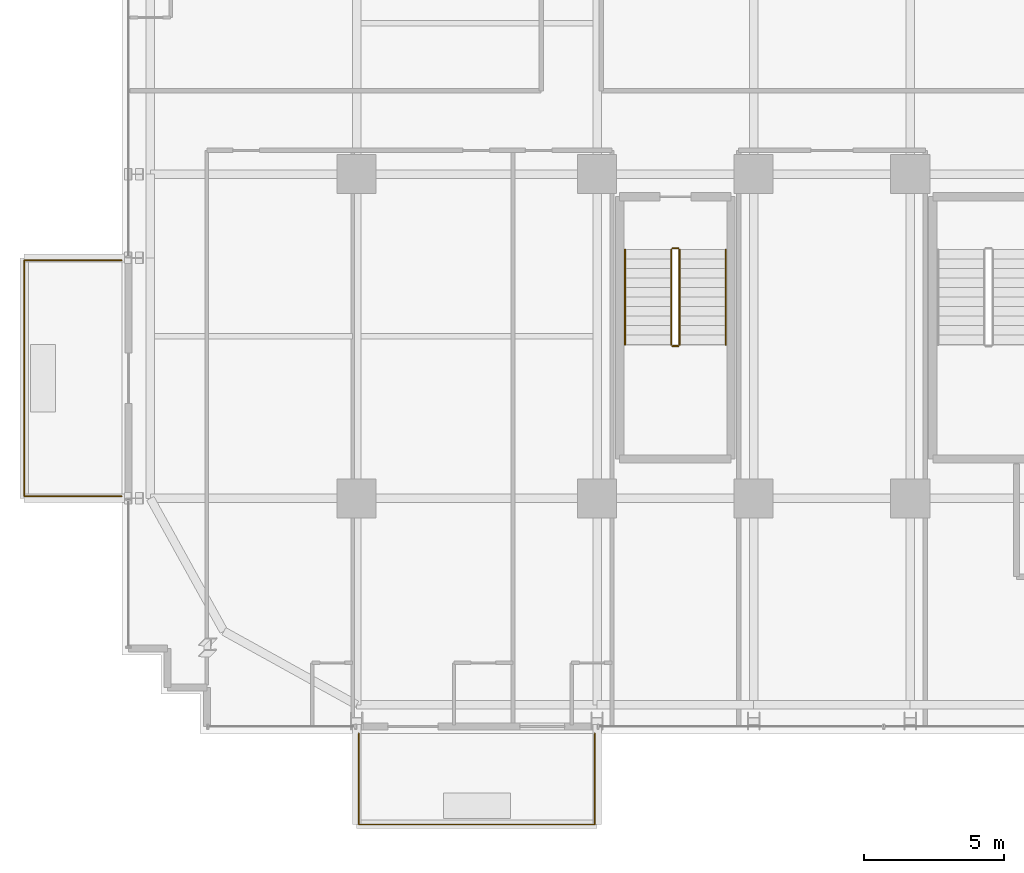
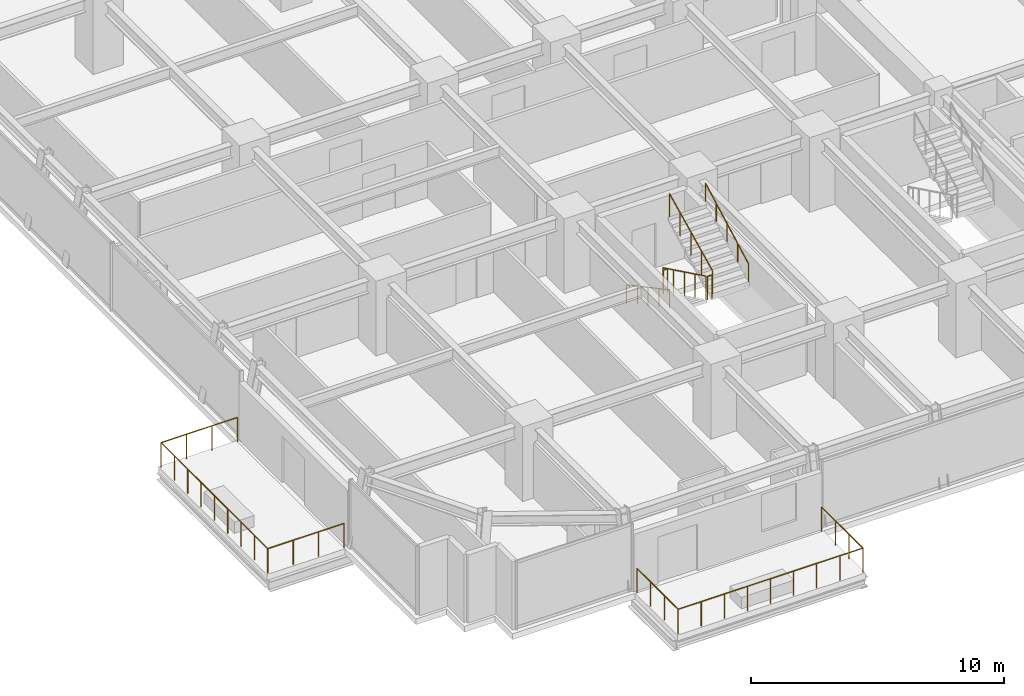
# One storey, part 33 of 35: 8 railings.
"""IFC4 building model written with IfcOpenShell, lengths in metres."""

from ifc_helpers import new_model, si_unit, direction, frame, origin, origin_2d, place, context, subcontext, project, spatial, circle, extrude, material, type_object, element, save


model = new_model("IFC4")

# Units and contexts
model_context = context("Model", 3, precision=1e-05, world=origin(), true_north=direction((0.0, 1.0)))
body_context = subcontext(model_context, "Body", "Model", "MODEL_VIEW")
ifc_project = project(units=[si_unit("LENGTHUNIT", "METRE"), si_unit("AREAUNIT", "SQUARE_METRE"), si_unit("VOLUMEUNIT", "CUBIC_METRE"), si_unit("PLANEANGLEUNIT", "RADIAN"), si_unit("MASSUNIT", "GRAM", prefix="KILO")], contexts=[model_context])

# Site, building, storey
site_placement = place(None, origin())
site = spatial("IfcSite", under=ifc_project, at=site_placement, CompositionType="ELEMENT")
building_placement = place(site_placement, origin())
building = spatial("IfcBuilding", under=site, at=building_placement, Name="Nahalor Promenade Grand Hotel", CompositionType="ELEMENT")
storey_placement = place(building_placement, frame((0.0, 0.0, 79.85009765625)))
storey = spatial("IfcBuildingStorey", under=building, at=storey_placement, Name="L19", CompositionType="ELEMENT", Elevation=79.85009765625)

# Railings
ifc_material_1 = material(Name="Anodised Bronze Aluminium EN AW-6063 T6", Category="aluminium")
railing_type_1 = type_object("IfcRailingType", Name="Bronze Balcony Guardrail 1200 mm", PredefinedType="GUARDRAIL", material=ifc_material_1)
railing_1_placement = place(storey_placement, frame((-16.919921875, -25.39990234375, 0.0)))
element("IfcRailing", 1, at=railing_1_placement, inside=storey, type_object=railing_type_1, Name="L19 Balcony Guardrail 1", PredefinedType="GUARDRAIL", context=body_context, shape_type="SweptSolid", body=[
    extrude(circle(Radius=0.024048, at=origin_2d()), frame((0.0, 0.0, 1.17578125), z_axis=(0.0, -1.0, 0.0), x_axis=(1.0, 0.0, 0.0)), (0.0, 0.0, 1.0), 3.258056640625),
    extrude(circle(Radius=0.024048, at=origin_2d()), frame((0.001953125, -3.260009765625, 1.17578125), z_axis=(1.0, 0.0, 0.0), x_axis=(0.0, 1.0, 0.0)), (0.0, 0.0, 1.0), 8.43603515625),
    extrude(circle(Radius=0.024048, at=origin_2d()), frame((8.43994140625, -3.258056640625, 1.17578125), z_axis=(0.0, 1.0, 0.0), x_axis=(-1.0, 0.0, 0.0)), (0.0, 0.0, 1.0), 3.258056640625),
    extrude(circle(Radius=0.020996, at=origin_2d()), origin(), (0.0, 0.0, 1.0), 1.14990234375),
    extrude(circle(Radius=0.020996, at=origin_2d()), frame((0.0, -1.086669921875, 0.0)), (0.0, 0.0, 1.0), 1.14990234375),
    extrude(circle(Radius=0.020996, at=origin_2d()), frame((0.0, -2.17333984375, 0.0)), (0.0, 0.0, 1.0), 1.14990234375),
    extrude(circle(Radius=0.020996, at=origin_2d()), frame((0.0, -3.260009765625, 0.0)), (0.0, 0.0, 1.0), 1.14990234375),
    extrude(circle(Radius=0.020996, at=origin_2d()), frame((1.054931640625, -3.260009765625, 0.0)), (0.0, 0.0, 1.0), 1.14990234375),
    extrude(circle(Radius=0.020996, at=origin_2d()), frame((2.10986328125, -3.260009765625, 0.0)), (0.0, 0.0, 1.0), 1.14990234375),
    extrude(circle(Radius=0.020996, at=origin_2d()), frame((3.1650390625, -3.260009765625, 0.0)), (0.0, 0.0, 1.0), 1.14990234375),
    extrude(circle(Radius=0.020996, at=origin_2d()), frame((4.219970703125, -3.260009765625, 0.0)), (0.0, 0.0, 1.0), 1.14990234375),
    extrude(circle(Radius=0.020996, at=origin_2d()), frame((5.27490234375, -3.260009765625, 0.0)), (0.0, 0.0, 1.0), 1.14990234375),
    extrude(circle(Radius=0.020996, at=origin_2d()), frame((6.330078125, -3.260009765625, 0.0)), (0.0, 0.0, 1.0), 1.14990234375),
    extrude(circle(Radius=0.020996, at=origin_2d()), frame((7.385009765625, -3.260009765625, 0.0)), (0.0, 0.0, 1.0), 1.14990234375),
    extrude(circle(Radius=0.020996, at=origin_2d()), frame((8.43994140625, -3.260009765625, 0.0)), (0.0, 0.0, 1.0), 1.14990234375),
    extrude(circle(Radius=0.020996, at=origin_2d()), frame((8.43994140625, -2.17333984375, 0.0)), (0.0, 0.0, 1.0), 1.14990234375),
    extrude(circle(Radius=0.020996, at=origin_2d()), frame((8.43994140625, -1.086669921875, 0.0)), (0.0, 0.0, 1.0), 1.14990234375),
    extrude(circle(Radius=0.020996, at=origin_2d()), frame((8.43994140625, 0.0, 0.0)), (0.0, 0.0, 1.0), 1.14990234375),
])
railing_2_placement = place(storey_placement, frame((-25.39990234375, -16.919921875, 0.0)))
element("IfcRailing", 2, at=railing_2_placement, inside=storey, type_object=railing_type_1, Name="L19 Balcony Guardrail 2", PredefinedType="GUARDRAIL", context=body_context, shape_type="SweptSolid", body=[
    extrude(circle(Radius=0.024048, at=origin_2d()), frame((0.0, 0.0, 1.17578125), z_axis=(-1.0, 0.0, 0.0), x_axis=(0.0, -1.0, 0.0)), (0.0, 0.0, 1.0), 3.488037109375),
    extrude(circle(Radius=0.024048, at=origin_2d()), frame((-3.489990234375, 0.001953125, 1.17578125), z_axis=(0.0, 1.0, 0.0), x_axis=(-1.0, 0.0, 0.0)), (0.0, 0.0, 1.0), 8.43603515625),
    extrude(circle(Radius=0.024048, at=origin_2d()), frame((-3.488037109375, 8.43994140625, 1.17578125), z_axis=(1.0, 0.0, 0.0), x_axis=(0.0, 1.0, 0.0)), (0.0, 0.0, 1.0), 3.488037109375),
    extrude(circle(Radius=0.020996, at=origin_2d()), origin(), (0.0, 0.0, 1.0), 1.14990234375),
    extrude(circle(Radius=0.020996, at=origin_2d()), frame((-1.163330078125, 0.0, 0.0)), (0.0, 0.0, 1.0), 1.14990234375),
    extrude(circle(Radius=0.020996, at=origin_2d()), frame((-2.32666015625, 0.0, 0.0)), (0.0, 0.0, 1.0), 1.14990234375),
    extrude(circle(Radius=0.020996, at=origin_2d()), frame((-3.489990234375, 0.0, 0.0)), (0.0, 0.0, 1.0), 1.14990234375),
    extrude(circle(Radius=0.020996, at=origin_2d()), frame((-3.489990234375, 1.054931640625, 0.0)), (0.0, 0.0, 1.0), 1.14990234375),
    extrude(circle(Radius=0.020996, at=origin_2d()), frame((-3.489990234375, 2.10986328125, 0.0)), (0.0, 0.0, 1.0), 1.14990234375),
    extrude(circle(Radius=0.020996, at=origin_2d()), frame((-3.489990234375, 3.1650390625, 0.0)), (0.0, 0.0, 1.0), 1.14990234375),
    extrude(circle(Radius=0.020996, at=origin_2d()), frame((-3.489990234375, 4.219970703125, 0.0)), (0.0, 0.0, 1.0), 1.14990234375),
    extrude(circle(Radius=0.020996, at=origin_2d()), frame((-3.489990234375, 5.27490234375, 0.0)), (0.0, 0.0, 1.0), 1.14990234375),
    extrude(circle(Radius=0.020996, at=origin_2d()), frame((-3.489990234375, 6.330078125, 0.0)), (0.0, 0.0, 1.0), 1.14990234375),
    extrude(circle(Radius=0.020996, at=origin_2d()), frame((-3.489990234375, 7.385009765625, 0.0)), (0.0, 0.0, 1.0), 1.14990234375),
    extrude(circle(Radius=0.020996, at=origin_2d()), frame((-3.489990234375, 8.43994140625, 0.0)), (0.0, 0.0, 1.0), 1.14990234375),
    extrude(circle(Radius=0.020996, at=origin_2d()), frame((-2.32666015625, 8.43994140625, 0.0)), (0.0, 0.0, 1.0), 1.14990234375),
    extrude(circle(Radius=0.020996, at=origin_2d()), frame((-1.163330078125, 8.43994140625, 0.0)), (0.0, 0.0, 1.0), 1.14990234375),
    extrude(circle(Radius=0.020996, at=origin_2d()), frame((0.0, 8.43994140625, 0.0)), (0.0, 0.0, 1.0), 1.14990234375),
])
ifc_material_2 = material(Name="Steel S355JR", Category="steel")
railing_type_2 = type_object("IfcRailingType", Name="Steel Stair Guardrail 1150 mm", PredefinedType="GUARDRAIL", material=ifc_material_2)
railing_3_placement = place(storey_placement, frame((-5.75, -8.10009765625, 0.165771484375)))
element("IfcRailing", 3, at=railing_3_placement, inside=storey, type_object=railing_type_2, Name="L19 ST3 stair guard 1", PredefinedType="GUARDRAIL", context=body_context, shape_type="SweptSolid", body=[
    extrude(circle(Radius=0.024048, at=origin_2d()), frame((0.0, 0.0, 1.1259765625), z_axis=(0.0, -0.898696488221, 0.438571114028), x_axis=(1.0, 0.0, 0.0)), (0.0, 0.0, 1.0), 3.783203125),
    extrude(circle(Radius=0.020996, at=origin_2d()), origin(), (0.0, 0.0, 1.0), 1.099853515625),
    extrude(circle(Radius=0.020996, at=origin_2d()), frame((0.0, -0.85009765625, 0.414794921875)), (0.0, 0.0, 1.0), 1.099853515625),
    extrude(circle(Radius=0.020996, at=origin_2d()), frame((0.0, -1.699951171875, 0.82958984375)), (0.0, 0.0, 1.0), 1.099853515625),
    extrude(circle(Radius=0.020996, at=origin_2d()), frame((0.0, -2.5498046875, 1.244384765625)), (0.0, 0.0, 1.0), 1.099853515625),
    extrude(circle(Radius=0.020996, at=origin_2d()), frame((0.0, -3.39990234375, 1.6591796875)), (0.0, 0.0, 1.0), 1.099853515625),
])
railing_4_placement = place(storey_placement, frame((-5.699951171875, -11.550048828125, 1.824951171875)))
element("IfcRailing", 4, at=railing_4_placement, inside=storey, type_object=railing_type_2, Name="L19 ST3 stair guard 2", PredefinedType="GUARDRAIL", context=body_context, shape_type="SweptSolid", body=[
    extrude(circle(Radius=0.024048, at=origin_2d()), frame((0.0, 0.0, 1.1259765625), z_axis=(1.0, 0.0, 0.0), x_axis=(0.0, 1.0, 0.0)), (0.0, 0.0, 1.0), 0.199951171875),
    extrude(circle(Radius=0.020996, at=origin_2d()), origin(), (0.0, 0.0, 1.0), 1.099853515625),
    extrude(circle(Radius=0.020996, at=origin_2d()), frame((0.199951171875, 0.0, 0.0)), (0.0, 0.0, 1.0), 1.099853515625),
])
railing_5_placement = place(storey_placement, frame((-5.449951171875, -11.5, 1.99072265625)))
element("IfcRailing", 5, at=railing_5_placement, inside=storey, type_object=railing_type_2, Name="L19 ST3 stair guard 3", PredefinedType="GUARDRAIL", context=body_context, shape_type="SweptSolid", body=[
    extrude(circle(Radius=0.024048, at=origin_2d()), frame((0.0, 0.0, 1.1259765625), z_axis=(0.0, 0.898696488221, 0.438571114028), x_axis=(-1.0, 0.0, 0.0)), (0.0, 0.0, 1.0), 3.783203125),
    extrude(circle(Radius=0.020996, at=origin_2d()), origin(), (0.0, 0.0, 1.0), 1.099853515625),
    extrude(circle(Radius=0.020996, at=origin_2d()), frame((0.0, 0.85009765625, 0.414794921875)), (0.0, 0.0, 1.0), 1.099853515625),
    extrude(circle(Radius=0.020996, at=origin_2d()), frame((0.0, 1.699951171875, 0.82958984375)), (0.0, 0.0, 1.0), 1.099853515625),
    extrude(circle(Radius=0.020996, at=origin_2d()), frame((0.0, 2.5498046875, 1.244384765625)), (0.0, 0.0, 1.0), 1.099853515625),
    extrude(circle(Radius=0.020996, at=origin_2d()), frame((0.0, 3.39990234375, 1.6591796875)), (0.0, 0.0, 1.0), 1.099853515625),
])
railing_6_placement = place(storey_placement, frame((-5.699951171875, -8.050048828125, 0.0)))
element("IfcRailing", 6, at=railing_6_placement, inside=storey, type_object=railing_type_2, Name="L19 ST3 stair guard 4", PredefinedType="GUARDRAIL", context=body_context, shape_type="SweptSolid", body=[
    extrude(circle(Radius=0.024048, at=origin_2d()), frame((0.0, 0.0, 1.1259765625), z_axis=(1.0, 0.0, 0.0), x_axis=(0.0, 1.0, 0.0)), (0.0, 0.0, 1.0), 0.199951171875),
    extrude(circle(Radius=0.020996, at=origin_2d()), origin(), (0.0, 0.0, 1.0), 1.099853515625),
    extrude(circle(Radius=0.020996, at=origin_2d()), frame((0.199951171875, 0.0, 0.0)), (0.0, 0.0, 1.0), 1.099853515625),
])
railing_type_3 = type_object("IfcRailingType", Name="Steel Stair Handrail 900 mm", PredefinedType="HANDRAIL", material=ifc_material_2)
railing_7_placement = place(storey_placement, frame((-7.39990234375, -8.10009765625, 0.165771484375)))
element("IfcRailing", 7, at=railing_7_placement, inside=storey, type_object=railing_type_3, Name="L19 ST3 stair handrail 1", PredefinedType="HANDRAIL", context=body_context, shape_type="SweptSolid", body=[
    extrude(circle(Radius=0.024048, at=origin_2d()), frame((0.0, 0.0, 0.8759765625), z_axis=(0.0, -0.881094038095, 0.47294111265), x_axis=(1.0, 0.0, 0.0)), (0.0, 0.0, 1.0), 3.858642578125),
    extrude(circle(Radius=0.020996, at=origin_2d()), origin(), (0.0, 0.0, 1.0), 0.849853515625),
    extrude(circle(Radius=0.020996, at=origin_2d()), frame((0.0, -0.85009765625, 0.456298828125)), (0.0, 0.0, 1.0), 0.849853515625),
    extrude(circle(Radius=0.020996, at=origin_2d()), frame((0.0, -1.699951171875, 0.91259765625)), (0.0, 0.0, 1.0), 0.849853515625),
    extrude(circle(Radius=0.020996, at=origin_2d()), frame((0.0, -2.5498046875, 1.36865234375)), (0.0, 0.0, 1.0), 0.849853515625),
    extrude(circle(Radius=0.020996, at=origin_2d()), frame((0.0, -3.39990234375, 1.824951171875)), (0.0, 0.0, 1.0), 0.849853515625),
])
railing_8_placement = place(storey_placement, frame((-3.800048828125, -11.5, 1.99072265625)))
element("IfcRailing", 8, at=railing_8_placement, inside=storey, type_object=railing_type_3, Name="L19 ST3 stair handrail 2", PredefinedType="HANDRAIL", context=body_context, shape_type="SweptSolid", body=[
    extrude(circle(Radius=0.024048, at=origin_2d()), frame((0.0, 0.0, 0.8759765625), z_axis=(0.0, 0.881067672671, 0.472990228413), x_axis=(-1.0, 0.0, 0.0)), (0.0, 0.0, 1.0), 3.85888671875),
    extrude(circle(Radius=0.020996, at=origin_2d()), origin(), (0.0, 0.0, 1.0), 0.849853515625),
    extrude(circle(Radius=0.020996, at=origin_2d()), frame((0.0, 0.85009765625, 0.456298828125)), (0.0, 0.0, 1.0), 0.849853515625),
    extrude(circle(Radius=0.020996, at=origin_2d()), frame((0.0, 1.699951171875, 0.91259765625)), (0.0, 0.0, 1.0), 0.849853515625),
    extrude(circle(Radius=0.020996, at=origin_2d()), frame((0.0, 2.5498046875, 1.368896484375)), (0.0, 0.0, 1.0), 0.849853515625),
    extrude(circle(Radius=0.020996, at=origin_2d()), frame((0.0, 3.39990234375, 1.8251953125)), (0.0, 0.0, 1.0), 0.849853515625),
])

save(model, "model.ifc")
